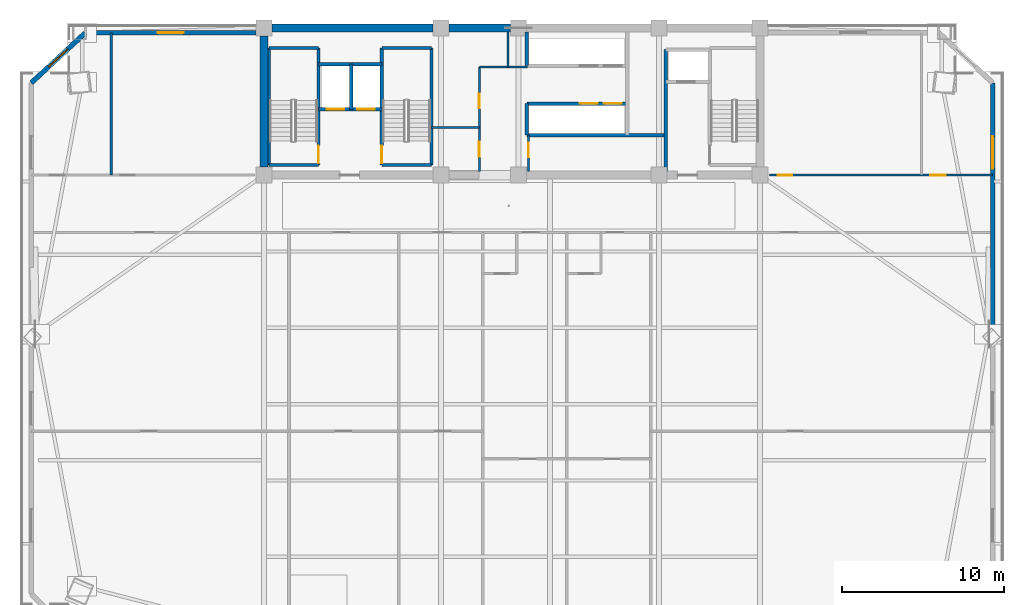
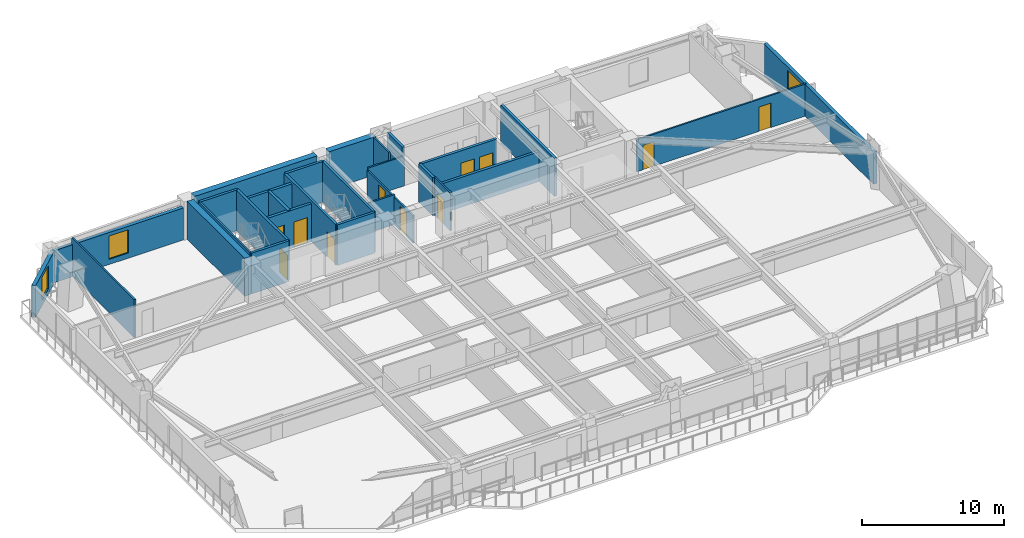
# One storey, part 9 of 15: 29 walls, 11 doors, 3 windows, 14 openings.
"""IFC4 building model written with IfcOpenShell, lengths in metres."""

import ifcopenshell
import ifcopenshell.guid

model = None  # the IFC model being written
_history = None  # IfcOwnerHistory: only IFC2X3 demands one
_inside = {}  # id of a spatial element -> (the spatial element, [elements in it])
_under = {}  # id of a project, library or spatial element -> (it, [spatial elements below it])
_declared = {}  # id of a project -> (the project, [libraries it declares])
_typed = {}  # id of a type object -> (the type object, [elements of that type])
_made_of = {}  # id of a material, layer set ... -> (it, [elements and type objects made of it])


def new_model(schema):
    """Start an empty IFC model of exactly this schema.

    Asked for "IFC4X3", IfcOpenShell would pick the latest addendum, in which some entities
    have other attributes; the version numbers below select the first issue.
    IFC2X3 requires an IfcOwnerHistory on every rooted entity: one is made here for all.
    """
    global model, _history
    if schema == "IFC4X3":
        model = ifcopenshell.file(schema_version=(4, 3, 0, 0))
    else:
        model = ifcopenshell.file(schema=schema)
    _inside.clear()
    _under.clear()
    _declared.clear()
    _typed.clear()
    _made_of.clear()
    _history = None
    if model.schema == "IFC2X3":
        org = make("IfcOrganization", Name="unknown")
        user = make(
            "IfcPersonAndOrganization",
            ThePerson=make("IfcPerson", FamilyName="unknown"),
            TheOrganization=org,
        )
        app = make(
            "IfcApplication",
            ApplicationDeveloper=org,
            Version="unknown",
            ApplicationFullName="unknown",
            ApplicationIdentifier="unknown",
        )
        _history = make(
            "IfcOwnerHistory",
            OwningUser=user,
            OwningApplication=app,
            ChangeAction="ADDED",
            CreationDate=0,
        )
    return model


def make(cls, **values):
    """One entity of the class cls with the attributes given. An attribute that is None is left unset."""
    return model.create_entity(
        cls, **{name: value for name, value in values.items() if value is not None}
    )


def rooted(cls, **values):
    """An entity with a GlobalId (a new one), such as an element, a storey or a relation."""
    return make(cls, GlobalId=ifcopenshell.guid.new(), OwnerHistory=_history, **values)


def si_unit(unit_type, name, prefix=None):
    """IfcSIUnit, for example si_unit("LENGTHUNIT", "METRE", prefix="MILLI")."""
    return make("IfcSIUnit", UnitType=unit_type, Prefix=prefix, Name=name)


def assignment(units):
    """IfcUnitAssignment: the units of a project."""
    return None if units is None else make("IfcUnitAssignment", Units=units)


def point(xyz):
    """IfcCartesianPoint."""
    return None if xyz is None else make("IfcCartesianPoint", Coordinates=xyz)


def direction(xyz):
    """IfcDirection."""
    return None if xyz is None else make("IfcDirection", DirectionRatios=xyz)


def frame(location, z_axis=None, x_axis=None):
    """IfcAxis2Placement3D, a coordinate frame: its origin and axes. An axis left out is left unset."""
    return make(
        "IfcAxis2Placement3D",
        Location=point(location),
        Axis=direction(z_axis),
        RefDirection=direction(x_axis),
    )


def frame_2d(location, x_axis=None):
    """IfcAxis2Placement2D, a coordinate frame in the plane: its origin and x axis."""
    return make(
        "IfcAxis2Placement2D", Location=point(location), RefDirection=direction(x_axis)
    )


def origin():
    """The frame at (0, 0, 0) with its axes left unset."""
    return frame((0.0, 0.0, 0.0))


def place(relative_to, where):
    """IfcLocalPlacement: puts the frame where relative to a parent placement (None: the world)."""
    return make(
        "IfcLocalPlacement", PlacementRelTo=relative_to, RelativePlacement=where
    )


def context(
    kind, dimensions, precision=None, world=None, true_north=None, identifier=None
):
    """IfcGeometricRepresentationContext, for example the 3D "Model" context."""
    return make(
        "IfcGeometricRepresentationContext",
        ContextIdentifier=identifier,
        ContextType=kind,
        CoordinateSpaceDimension=dimensions,
        Precision=precision,
        WorldCoordinateSystem=world,
        TrueNorth=true_north,
    )


def subcontext(parent, identifier, kind, view, scale=None):
    """IfcGeometricRepresentationSubContext, for example "Body" below "Model"."""
    return make(
        "IfcGeometricRepresentationSubContext",
        ContextIdentifier=identifier,
        ContextType=kind,
        ParentContext=parent,
        TargetScale=scale,
        TargetView=view,
    )


def project(units=None, contexts=None):
    """IfcProject with its units and contexts."""
    return rooted(
        "IfcProject",
        Name="project",
        RepresentationContexts=contexts,
        UnitsInContext=assignment(units),
    )


def spatial(cls, under=None, at=None, **own):
    """A site, building, storey or space (cls), placed at a placement, below another one or the project."""
    s = rooted(cls, ObjectPlacement=at, **own)
    if under is not None:
        _under.setdefault(under.id(), (under, []))[1].append(s)
    return s


def profile(cls, at=None, kind="AREA", **sizes):
    """A parametric profile (cls). Its sizes go by their IFC names, for example OverallWidth=200.0."""
    return make(cls, ProfileType=kind, Position=at, **sizes)


def rectangle(**sizes):
    """IfcRectangleProfileDef."""
    return profile("IfcRectangleProfileDef", **sizes)


def extrude(swept, where, along, depth):
    """IfcExtrudedAreaSolid: the profile swept, set in the frame where, extruded along a direction by depth."""
    return make(
        "IfcExtrudedAreaSolid",
        SweptArea=swept,
        Position=where,
        ExtrudedDirection=direction(along),
        Depth=depth,
    )


def shape(context_of_items, identifier, shape_type, items):
    """IfcShapeRepresentation: the items that make up one representation, for example the "Body"."""
    return make(
        "IfcShapeRepresentation",
        ContextOfItems=context_of_items,
        RepresentationIdentifier=identifier,
        RepresentationType=shape_type,
        Items=items,
    )


def source(mapping_origin, context_of_items, identifier, shape_type, items):
    """IfcRepresentationMap: a shape defined once, which mapped items show again and again."""
    return make(
        "IfcRepresentationMap",
        MappingOrigin=mapping_origin,
        MappedRepresentation=shape(context_of_items, identifier, shape_type, items),
    )


def transform(
    local_origin,
    x_axis=None,
    y_axis=None,
    z_axis=None,
    scale=None,
    scale2=None,
    scale3=None,
    uniform=True,
):
    """IfcCartesianTransformationOperator3D, or its non-uniform kind. x_axis, y_axis, z_axis: its Axis1, 2, 3."""
    if uniform:
        return make(
            "IfcCartesianTransformationOperator3D",
            Axis1=direction(x_axis),
            Axis2=direction(y_axis),
            LocalOrigin=point(local_origin),
            Scale=scale,
            Axis3=direction(z_axis),
        )
    return make(
        "IfcCartesianTransformationOperator3DnonUniform",
        Axis1=direction(x_axis),
        Axis2=direction(y_axis),
        LocalOrigin=point(local_origin),
        Scale=scale,
        Axis3=direction(z_axis),
        Scale2=scale2,
        Scale3=scale3,
    )


def mapped(mapping_source, mapping_target):
    """IfcMappedItem: shows the shape of a source again, moved by a transform."""
    return make(
        "IfcMappedItem", MappingSource=mapping_source, MappingTarget=mapping_target
    )


def material(Name=None, Category=None):
    """IfcMaterial."""
    return make("IfcMaterial", Name=Name, Category=Category)


def layer(
    of_material, thickness, ventilated=None, Name=None, Category=None, Priority=None
):
    """IfcMaterialLayer: one layer of a wall or slab, of a material (None: an air gap)."""
    return make(
        "IfcMaterialLayer",
        Material=of_material,
        LayerThickness=thickness,
        IsVentilated=ventilated,
        Name=Name,
        Category=Category,
        Priority=Priority,
    )


def layer_set(layers, Name=None):
    """IfcMaterialLayerSet."""
    return make("IfcMaterialLayerSet", MaterialLayers=layers, LayerSetName=Name)


def made_of(thing, what):
    """Note that an element or type object is made of a material, layer set ...; save() writes the relation."""
    if what is not None:
        _made_of.setdefault(what.id(), (what, []))[1].append(thing)
    return thing


def type_object(cls, material=None, **own):
    """A type object (cls), such as IfcWallType, which elements share."""
    return made_of(rooted(cls, **own), material)


def element(
    cls,
    number,
    at=None,
    inside=None,
    cuts=None,
    type_object=None,
    material=None,
    context=None,
    identifier="Body",
    shape_type=None,
    held_by="IfcProductDefinitionShape",
    body=None,
    shapes=None,
    **own,
):
    """One element of the class cls, such as IfcWall. Its Tag is "e" and its number.

    at: its placement. inside: the storey or other place that contains it. cuts: it is an
    opening in that element (IfcRelVoidsElement). A single representation is given by context,
    identifier, shape_type and body (its items); several are given by shapes. held_by: the class
    of the entity that holds the representations. save() writes the other relations.
    """
    e = rooted(cls, Tag="e%d" % number, ObjectPlacement=at, **own)
    if body is not None:
        shapes = [shape(context, identifier, shape_type, body)]
    if shapes is not None:
        e.Representation = make(held_by, Representations=shapes)
    if inside is not None:
        _inside.setdefault(inside.id(), (inside, []))[1].append(e)
    if cuts is not None:
        rooted(
            "IfcRelVoidsElement", RelatingBuildingElement=cuts, RelatedOpeningElement=e
        )
    if type_object is not None:
        _typed.setdefault(type_object.id(), (type_object, []))[1].append(e)
    return made_of(e, material)


def fill(opening, filler):
    """IfcRelFillsElement: the door or window that sits in an opening."""
    return rooted(
        "IfcRelFillsElement",
        RelatingOpeningElement=opening,
        RelatedBuildingElement=filler,
    )


def aggregate(whole, parts):
    """IfcRelAggregates: a whole, such as a stair, and the parts it consists of."""
    return rooted("IfcRelAggregates", RelatingObject=whole, RelatedObjects=parts)


def save(model, path):
    """Write the relations noted so far, then the file.

    IfcRelAggregates (storeys below a building ...), IfcRelContainedInSpatialStructure (elements
    in a storey), IfcRelDefinesByType, IfcRelAssociatesMaterial and IfcRelDeclares: one each for
    every whole, place, type object, material and project.
    """
    for whole, parts in _under.values():
        aggregate(whole, parts)
    for where, things in _inside.values():
        rooted(
            "IfcRelContainedInSpatialStructure",
            RelatedElements=things,
            RelatingStructure=where,
        )
    for kind, things in _typed.values():
        rooted("IfcRelDefinesByType", RelatedObjects=things, RelatingType=kind)
    for what, things in _made_of.values():
        rooted("IfcRelAssociatesMaterial", RelatedObjects=things, RelatingMaterial=what)
    for by, libraries in _declared.values():
        rooted("IfcRelDeclares", RelatingContext=by, RelatedDefinitions=libraries)
    model.write(path)


model = new_model("IFC4")

# Units and contexts
model_context = context("Model", 3, precision=1e-05, world=origin(), true_north=direction((0.0, 1.0)))
body_context = subcontext(model_context, "Body", "Model", "MODEL_VIEW")
ifc_project = project(units=[si_unit("LENGTHUNIT", "METRE"), si_unit("AREAUNIT", "SQUARE_METRE"), si_unit("VOLUMEUNIT", "CUBIC_METRE"), si_unit("PLANEANGLEUNIT", "RADIAN"), si_unit("MASSUNIT", "GRAM", prefix="KILO")], contexts=[model_context])

# Site, building, storey
site_placement = place(None, origin())
site = spatial("IfcSite", under=ifc_project, at=site_placement, CompositionType="ELEMENT")
building_placement = place(site_placement, origin())
building = spatial("IfcBuilding", under=site, at=building_placement, Name="Giltprow Tower", CompositionType="ELEMENT")
storey_placement = place(building_placement, frame((0.0, 0.0, 156.199951171875)))
storey = spatial("IfcBuildingStorey", under=building, at=storey_placement, Name="L38", CompositionType="ELEMENT", Elevation=156.199951171875)

# Wall, opening, window
ifc_material_1 = material(Name="Precast concrete C40", Category="concrete")
ifc_layer_1 = layer(ifc_material_1, 0.300048828125, Name="Precast concrete C40")
ifc_layer_set_1 = layer_set([ifc_layer_1], Name="Precast concrete C40")
wall_type_1 = type_object("IfcWallType", Name="EW-NOTCH-CHAMFER-300", PredefinedType="SOLIDWALL", material=ifc_layer_set_1)
wall_1_placement = place(storey_placement, frame((8.7880859375, 46.25, 0.0), z_axis=(0.0, 0.0, 1.0), x_axis=(-0.734051949579, -0.679093318565, 0.0)))
wall_1 = element("IfcWall", 1, at=wall_1_placement, inside=storey, type_object=wall_type_1, Name="L38 Corner Notch Wall NW", PredefinedType="SOLIDWALL", context=body_context, shape_type="SweptSolid", body=[
    extrude(rectangle(XDim=4.548828125, YDim=0.300048828125, at=frame_2d((2.2744140625, 0.0))), origin(), (0.0, 0.0, 1.0), 2.75),
])
opening_1_placement = place(wall_1_placement, frame((1.47412109375, 0.0, 0.449951171875)))
opening_1 = element("IfcOpeningElement", 2, at=opening_1_placement, cuts=wall_1, Name="Opening WN17", PredefinedType="OPENING", context=body_context, shape_type="SweptSolid", body=[
    extrude(rectangle(XDim=1.60009765625, YDim=2.0, at=frame_2d((0.800048828125, 1.0))), frame((0.0, 0.159912109375, 0.0), z_axis=(0.0, -1.0, 0.0), x_axis=(1.0, 0.0, 0.0)), (0.0, 0.0, 1.0), 0.320068359375),
])
ifc_material_2 = material(Name="Insulated glass", Category="glass")
window_type_1 = type_object("IfcWindowType", Name="WN-COR-1600x2000", PartitioningType="SINGLE_PANEL", PredefinedType="WINDOW", material=ifc_material_2)
shared_shape_1 = source(origin(), body_context, "Body", "SweptSolid", [
    extrude(rectangle(XDim=1.60009765625, YDim=2.0, at=frame_2d((0.800048828125, 1.0))), frame((0.0, 0.030029296875, 0.0), z_axis=(0.0, -1.0, 0.0), x_axis=(1.0, 0.0, 0.0)), (0.0, 0.0, 1.0), 0.06005859375),
])
window_1_placement = place(opening_1_placement, origin())
window_1 = element("IfcWindow", 3, at=window_1_placement, inside=storey, type_object=window_type_1, Name="L38 Corner Notch Window NW", OverallHeight=2.0, OverallWidth=1.60009765625, PartitioningType="SINGLE_PANEL", PredefinedType="WINDOW", context=body_context, shape_type="MappedRepresentation", body=[
    mapped(shared_shape_1, transform((0.0, 0.0, 0.0), x_axis=(1.0, 0.0, 0.0), y_axis=(0.0, 1.0, 0.0), z_axis=(0.0, 0.0, 1.0), scale=1.0)),
])
fill(opening_1, window_1)

ifc_layer_2 = layer(ifc_material_1, 0.280029296875, Name="Precast concrete C40")
ifc_layer_set_2 = layer_set([ifc_layer_2], Name="Precast concrete C40")
wall_type_2 = type_object("IfcWallType", Name="EW-TOW-BRONZE-280", PredefinedType="SOLIDWALL", material=ifc_layer_set_2)
wall_2_placement = place(storey_placement, frame((64.950927734375, 27.736083984375, 0.0), z_axis=(0.0, 0.0, 1.0), x_axis=(0.0, 1.0, 0.0)))
wall_2 = element("IfcWall", 4, at=wall_2_placement, inside=storey, type_object=wall_type_2, Name="L38 E Wing Masonry Wall 2", PredefinedType="SOLIDWALL", context=body_context, shape_type="SweptSolid", body=[
    extrude(rectangle(XDim=15.4248046875, YDim=0.280029296875, at=frame_2d((7.71240234375, 0.0))), origin(), (0.0, 0.0, 1.0), 2.75),
])
opening_2_placement = place(wall_2_placement, frame((10.118896484375, 0.0, 0.449951171875)))
opening_2 = element("IfcOpeningElement", 5, at=opening_2_placement, cuts=wall_2, Name="Opening WN21", PredefinedType="OPENING", context=body_context, shape_type="SweptSolid", body=[
    extrude(rectangle(XDim=2.0, YDim=2.0, at=frame_2d((1.0, 1.0))), frame((0.0, 0.14990234375, 0.0), z_axis=(0.0, -1.0, 0.0), x_axis=(1.0, 0.0, 0.0)), (0.0, 0.0, 1.0), 0.300048828125),
])
window_type_2 = type_object("IfcWindowType", Name="WN-HTL-2000x2000", PartitioningType="DOUBLE_PANEL_VERTICAL", PredefinedType="WINDOW", material=ifc_material_2)
shared_shape_2 = source(origin(), body_context, "Body", "SweptSolid", [
    extrude(rectangle(XDim=2.0, YDim=2.0, at=frame_2d((1.0, 1.0))), frame((0.0, 0.030029296875, 0.0), z_axis=(0.0, -1.0, 0.0), x_axis=(1.0, 0.0, 0.0)), (0.0, 0.0, 1.0), 0.06005859375),
])
window_2_placement = place(opening_2_placement, origin())
window_2 = element("IfcWindow", 6, at=window_2_placement, inside=storey, type_object=window_type_2, Name="L38 E Wing Window 2-1", OverallHeight=2.0, OverallWidth=2.0, PartitioningType="SINGLE_PANEL", PredefinedType="WINDOW", context=body_context, shape_type="MappedRepresentation", body=[
    mapped(shared_shape_2, transform((0.0, 0.0, 0.0), x_axis=(1.0, 0.0, 0.0), y_axis=(0.0, 1.0, 0.0), z_axis=(0.0, 0.0, 1.0), scale=1.0)),
])
fill(opening_2, window_2)

wall_3_placement = place(storey_placement, frame((8.7880859375, 46.25, 0.0), z_axis=(0.0, 0.0, 1.0), x_axis=(1.0, 0.0, 0.0)))
wall_3 = element("IfcWall", 7, at=wall_3_placement, inside=storey, type_object=wall_type_2, Name="L38 North-West Wing Wall", PredefinedType="SOLIDWALL", context=body_context, shape_type="SweptSolid", body=[
    extrude(rectangle(XDim=10.56201171875, YDim=0.280029296875, at=frame_2d((5.281005859375, 0.0))), origin(), (0.0, 0.0, 1.0), 2.75),
])
opening_3_placement = place(wall_3_placement, frame((4.48095703125, 0.0, 0.449951171875)))
opening_3 = element("IfcOpeningElement", 8, at=opening_3_placement, cuts=wall_3, Name="Opening WN17", PredefinedType="OPENING", context=body_context, shape_type="SweptSolid", body=[
    extrude(rectangle(XDim=1.60009765625, YDim=2.0, at=frame_2d((0.800048828125, 1.0))), frame((0.0, 0.14990234375, 0.0), z_axis=(0.0, -1.0, 0.0), x_axis=(1.0, 0.0, 0.0)), (0.0, 0.0, 1.0), 0.300048828125),
])
window_3_placement = place(opening_3_placement, origin())
window_3 = element("IfcWindow", 9, at=window_3_placement, inside=storey, type_object=window_type_1, Name="L38 North-West Window", OverallHeight=2.0, OverallWidth=1.60009765625, PartitioningType="SINGLE_PANEL", PredefinedType="WINDOW", context=body_context, shape_type="MappedRepresentation", body=[
    mapped(shared_shape_1, transform((0.0, 0.0, 0.0), x_axis=(1.0, 0.0, 0.0), y_axis=(0.0, 1.0, 0.0), z_axis=(0.0, 0.0, 1.0), scale=1.0)),
])
fill(opening_3, window_3)

# Wall, openings, doors
ifc_material_3 = material(Name="Concrete C40", Category="concrete")
ifc_layer_3 = layer(ifc_material_3, 0.219970703125, Name="Concrete C40")
ifc_layer_set_3 = layer_set([ifc_layer_3], Name="Concrete C40")
wall_type_3 = type_object("IfcWallType", Name="IW-SHAFT-220", PredefinedType="SOLIDWALL", material=ifc_layer_set_3)
wall_4_placement = place(storey_placement, frame((23.219970703125, 41.52001953125, 0.0), z_axis=(0.0, 0.0, 1.0), x_axis=(1.0, 0.0, 0.0)))
wall_4 = element("IfcWall", 10, at=wall_4_placement, inside=storey, type_object=wall_type_3, Name="L38 FFL1 and Service Lift Front Wall", PredefinedType="SOLIDWALL", context=body_context, shape_type="SweptSolid", body=[
    extrude(rectangle(XDim=3.919921875, YDim=0.219970703125, at=frame_2d((1.9599609375, 0.0))), origin(), (0.0, 0.0, 1.0), 3.27001953125),
])
opening_4_placement = place(wall_4_placement, frame((0.5, 0.0, 0.0)))
opening_4 = element("IfcOpeningElement", 11, at=opening_4_placement, cuts=wall_4, Name="Opening LD-11", PredefinedType="OPENING", context=body_context, shape_type="SweptSolid", body=[
    extrude(rectangle(XDim=1.10009765625, YDim=2.199951171875, at=frame_2d((0.550048828125, 1.10009765625))), frame((0.0, 0.119873046875, 0.0), z_axis=(0.0, -1.0, 0.0), x_axis=(1.0, 0.0, 0.0)), (0.0, 0.0, 1.0), 0.239990234375),
])
opening_5_placement = place(wall_4_placement, frame((2.39990234375, 0.0, 0.0)))
opening_5 = element("IfcOpeningElement", 12, at=opening_5_placement, cuts=wall_4, Name="Opening LD-11", PredefinedType="OPENING", context=body_context, shape_type="SweptSolid", body=[
    extrude(rectangle(XDim=1.10009765625, YDim=2.199951171875, at=frame_2d((0.550048828125, 1.10009765625))), frame((0.0, 0.119873046875, 0.0), z_axis=(0.0, -1.0, 0.0), x_axis=(1.0, 0.0, 0.0)), (0.0, 0.0, 1.0), 0.239990234375),
])
ifc_material_4 = material(Name="Stainless steel", Category="steel")
door_type_1 = type_object("IfcDoorType", Name="DR-LIFT-LD1100", OperationType="SLIDING_TO_LEFT", PredefinedType="DOOR", material=ifc_material_4)
shared_shape_3 = source(origin(), body_context, "Body", "SweptSolid", [
    extrude(rectangle(XDim=1.10009765625, YDim=2.199951171875, at=frame_2d((0.550048828125, 1.10009765625))), frame((0.0, 0.02490234375, 0.0), z_axis=(0.0, -1.0, 0.0), x_axis=(1.0, 0.0, 0.0)), (0.0, 0.0, 1.0), 0.050048828125),
])
door_1_placement = place(opening_4_placement, origin())
door_1 = element("IfcDoor", 13, at=door_1_placement, inside=storey, type_object=door_type_1, Name="L38 FFL1 Landing Door", OperationType="SLIDING_TO_LEFT", OverallHeight=2.199951171875, OverallWidth=1.10009765625, PredefinedType="DOOR", context=body_context, shape_type="MappedRepresentation", body=[
    mapped(shared_shape_3, transform((0.0, 0.0, 0.0), x_axis=(1.0, 0.0, 0.0), y_axis=(0.0, 1.0, 0.0), z_axis=(0.0, 0.0, 1.0), scale=1.0)),
])
fill(opening_4, door_1)
door_2_placement = place(opening_5_placement, origin())
door_2 = element("IfcDoor", 14, at=door_2_placement, inside=storey, type_object=door_type_1, Name="L38 SVL1 Landing Door", OperationType="SLIDING_TO_LEFT", OverallHeight=2.199951171875, OverallWidth=1.10009765625, PredefinedType="DOOR", context=body_context, shape_type="MappedRepresentation", body=[
    mapped(shared_shape_3, transform((0.0, 0.0, 0.0), x_axis=(1.0, 0.0, 0.0), y_axis=(0.0, 1.0, 0.0), z_axis=(0.0, 0.0, 1.0), scale=1.0)),
])
fill(opening_5, door_2)

# Walls
wall_5_placement = place(storey_placement, frame((25.260009765625, 41.52001953125, 0.0), z_axis=(0.0, 0.0, 1.0), x_axis=(0.0, 1.0, 0.0)))
element("IfcWall", 15, at=wall_5_placement, inside=storey, type_object=wall_type_3, Name="L38 FFL1-SVL1 Shaft Divider", PredefinedType="SOLIDWALL", context=body_context, shape_type="SweptSolid", body=[
    extrude(rectangle(XDim=2.800048828125, YDim=0.219970703125, at=frame_2d((1.39990234375, 0.0))), origin(), (0.0, 0.0, 1.0), 3.27001953125),
])
wall_6_placement = place(storey_placement, frame((23.219970703125, 44.320068359375, 0.0), z_axis=(0.0, 0.0, 1.0), x_axis=(1.0, 0.0, 0.0)))
element("IfcWall", 16, at=wall_6_placement, inside=storey, type_object=wall_type_3, Name="L38 FFL1-SVL1 Back Shaft Wall", PredefinedType="SOLIDWALL", context=body_context, shape_type="SweptSolid", body=[
    extrude(rectangle(XDim=3.919921875, YDim=0.219970703125, at=frame_2d((1.9599609375, 0.0))), origin(), (0.0, 0.0, 1.0), 3.27001953125),
])
wall_7_placement = place(storey_placement, frame((44.719970703125, 37.679931640625, 0.0), z_axis=(0.0, 0.0, 1.0), x_axis=(0.0, 1.0, 0.0)))
element("IfcWall", 17, at=wall_7_placement, inside=storey, type_object=wall_type_3, Name="L38 East Firefighting Lobby West Wall", PredefinedType="SOLIDWALL", context=body_context, shape_type="SweptSolid", body=[
    extrude(rectangle(XDim=7.5400390625, YDim=0.219970703125, at=frame_2d((3.77001953125, 0.0))), origin(), (0.0, 0.0, 1.0), 3.27001953125),
])

# Wall, openings, doors
wall_8_placement = place(storey_placement, frame((36.1201171875, 41.8798828125, 0.0), z_axis=(0.0, 0.0, 1.0), x_axis=(1.0, 0.0, 0.0)))
wall_8 = element("IfcWall", 18, at=wall_8_placement, inside=storey, type_object=wall_type_3, Name="L38 Mid-Rise Lift Shaft Front Wall S", PredefinedType="SOLIDWALL", context=body_context, shape_type="SweptSolid", body=[
    extrude(rectangle(XDim=6.199951171875, YDim=0.219970703125, at=frame_2d((3.10009765625, 0.0))), origin(), (0.0, 0.0, 1.0), 3.27001953125),
])
opening_6_placement = place(wall_8_placement, frame((3.280029296875, 0.0, 0.0)))
opening_6 = element("IfcOpeningElement", 19, at=opening_6_placement, cuts=wall_8, Name="Opening LD-11", PredefinedType="OPENING", context=body_context, shape_type="SweptSolid", body=[
    extrude(rectangle(XDim=1.10009765625, YDim=2.199951171875, at=frame_2d((0.550048828125, 1.10009765625))), frame((0.0, 0.119873046875, 0.0), z_axis=(0.0, -1.0, 0.0), x_axis=(1.0, 0.0, 0.0)), (0.0, 0.0, 1.0), 0.239990234375),
])
opening_7_placement = place(wall_8_placement, frame((4.77001953125, 0.0, 0.0)))
opening_7 = element("IfcOpeningElement", 20, at=opening_7_placement, cuts=wall_8, Name="Opening LD-11", PredefinedType="OPENING", context=body_context, shape_type="SweptSolid", body=[
    extrude(rectangle(XDim=1.10009765625, YDim=2.199951171875, at=frame_2d((0.550048828125, 1.10009765625))), frame((0.0, 0.119873046875, 0.0), z_axis=(0.0, -1.0, 0.0), x_axis=(1.0, 0.0, 0.0)), (0.0, 0.0, 1.0), 0.239990234375),
])
door_3_placement = place(opening_6_placement, origin())
door_3 = element("IfcDoor", 21, at=door_3_placement, inside=storey, type_object=door_type_1, Name="L38 PL-M3 Landing Door", OperationType="SLIDING_TO_LEFT", OverallHeight=2.199951171875, OverallWidth=1.10009765625, PredefinedType="DOOR", context=body_context, shape_type="MappedRepresentation", body=[
    mapped(shared_shape_3, transform((0.0, 0.0, 0.0), x_axis=(1.0, 0.0, 0.0), y_axis=(0.0, 1.0, 0.0), z_axis=(0.0, 0.0, 1.0), scale=1.0)),
])
fill(opening_6, door_3)
door_4_placement = place(opening_7_placement, origin())
door_4 = element("IfcDoor", 22, at=door_4_placement, inside=storey, type_object=door_type_1, Name="L38 PL-M4 Landing Door", OperationType="SLIDING_TO_LEFT", OverallHeight=2.199951171875, OverallWidth=1.10009765625, PredefinedType="DOOR", context=body_context, shape_type="MappedRepresentation", body=[
    mapped(shared_shape_3, transform((0.0, 0.0, 0.0), x_axis=(1.0, 0.0, 0.0), y_axis=(0.0, 1.0, 0.0), z_axis=(0.0, 0.0, 1.0), scale=1.0)),
])
fill(opening_7, door_4)

# Walls
wall_9_placement = place(storey_placement, frame((36.1201171875, 39.919921875, 0.0), z_axis=(0.0, 0.0, 1.0), x_axis=(1.0, 0.0, 0.0)))
element("IfcWall", 23, at=wall_9_placement, inside=storey, type_object=wall_type_3, Name="L38 Mid-Rise South Lift Back Wall", PredefinedType="SOLIDWALL", context=body_context, shape_type="SweptSolid", body=[
    extrude(rectangle(XDim=8.599853515625, YDim=0.219970703125, at=frame_2d((4.2998046875, 0.0))), origin(), (0.0, 0.0, 1.0), 2.554931640625),
])
wall_10_placement = place(storey_placement, frame((36.1201171875, 39.919921875, 0.0), z_axis=(0.0, 0.0, 1.0), x_axis=(0.0, 1.0, 0.0)))
element("IfcWall", 24, at=wall_10_placement, inside=storey, type_object=wall_type_3, Name="L38 Mid-Rise South Lift West Closure", PredefinedType="SOLIDWALL", context=body_context, shape_type="SweptSolid", body=[
    extrude(rectangle(XDim=1.9599609375, YDim=0.219970703125, at=frame_2d((0.97998046875, 0.0))), origin(), (0.0, 0.0, 1.0), 3.27001953125),
])
wall_11_placement = place(storey_placement, frame((36.1201171875, 44.219970703125, 0.0), z_axis=(0.0, 0.0, 1.0), x_axis=(0.0, 1.0, 0.0)))
element("IfcWall", 25, at=wall_11_placement, inside=storey, type_object=wall_type_3, Name="L38 Mid-Rise North Lift West Closure", PredefinedType="SOLIDWALL", context=body_context, shape_type="SweptSolid", body=[
    extrude(rectangle(XDim=2.10009765625, YDim=0.219970703125, at=frame_2d((1.050048828125, 0.0))), origin(), (0.0, 0.0, 1.0), 3.27001953125),
])
ifc_material_5 = material(Name="Concrete C45", Category="concrete")
ifc_layer_4 = layer(ifc_material_5, 0.139892578125, Name="Concrete C45")
ifc_layer_set_4 = layer_set([ifc_layer_4], Name="Concrete C45")
wall_type_4 = type_object("IfcWallType", Name="IW-STAIR-140", PredefinedType="SOLIDWALL", material=ifc_layer_set_4)
wall_12_placement = place(storey_placement, frame((20.169921875, 38.070068359375, 0.0), z_axis=(0.0, 0.0, 1.0), x_axis=(0.0, 1.0, 0.0)))
element("IfcWall", 26, at=wall_12_placement, inside=storey, type_object=wall_type_4, Name="L38 Stair ST-1 West Bearing Wall", PredefinedType="SOLIDWALL", context=body_context, shape_type="SweptSolid", body=[
    extrude(rectangle(XDim=7.25, YDim=0.139892578125, at=frame_2d((3.625, 0.0))), origin(), (0.0, 0.0, 1.0), 3.5),
])

# Wall, opening, door
ifc_layer_5 = layer(ifc_material_3, 0.199951171875, Name="Concrete C40")
ifc_layer_set_5 = layer_set([ifc_layer_5], Name="Concrete C40")
wall_type_5 = type_object("IfcWallType", Name="IW-STAIR-200", PredefinedType="SOLIDWALL", material=ifc_layer_set_5)
wall_13_placement = place(storey_placement, frame((23.219970703125, 38.070068359375, 0.0), z_axis=(0.0, 0.0, 1.0), x_axis=(0.0, 1.0, 0.0)))
wall_13 = element("IfcWall", 27, at=wall_13_placement, inside=storey, type_object=wall_type_5, Name="L38 Stair ST-1 East Bearing Wall", PredefinedType="SOLIDWALL", context=body_context, shape_type="SweptSolid", body=[
    extrude(rectangle(XDim=7.25, YDim=0.199951171875, at=frame_2d((3.625, 0.0))), origin(), (0.0, 0.0, 1.0), 3.5),
])
opening_8_placement = place(wall_13_placement, frame((0.110107421875, 0.0, 0.0)))
opening_8 = element("IfcOpeningElement", 28, at=opening_8_placement, cuts=wall_13, Name="Opening ID33", PredefinedType="OPENING", context=body_context, shape_type="SweptSolid", body=[
    extrude(rectangle(XDim=1.10009765625, YDim=2.14990234375, at=frame_2d((0.550048828125, 1.074951171875))), frame((0.0, 0.10986328125, 0.0), z_axis=(0.0, -1.0, 0.0), x_axis=(1.0, 0.0, 0.0)), (0.0, 0.0, 1.0), 0.219970703125),
])
ifc_material_6 = material(Name="Steel fire leaf", Category="steel")
door_type_2 = type_object("IfcDoorType", Name="DR-STAIR-1100", OperationType="SINGLE_SWING_LEFT", PredefinedType="DOOR", material=ifc_material_6)
shared_shape_4 = source(origin(), body_context, "Body", "SweptSolid", [
    extrude(rectangle(XDim=1.10009765625, YDim=2.14990234375, at=frame_2d((0.550048828125, 1.074951171875))), frame((0.0, 0.02490234375, 0.0), z_axis=(0.0, -1.0, 0.0), x_axis=(1.0, 0.0, 0.0)), (0.0, 0.0, 1.0), 0.050048828125),
])
door_5_placement = place(opening_8_placement, origin())
door_5 = element("IfcDoor", 29, at=door_5_placement, inside=storey, type_object=door_type_2, Name="L38 Stair ST-1 Fire Door", OperationType="SINGLE_SWING_RIGHT", OverallHeight=2.14990234375, OverallWidth=1.10009765625, PredefinedType="DOOR", context=body_context, shape_type="MappedRepresentation", body=[
    mapped(shared_shape_4, transform((0.0, 0.0, 0.0), x_axis=(1.0, 0.0, 0.0), y_axis=(0.0, 1.0, 0.0), z_axis=(0.0, 0.0, 1.0), scale=1.0)),
])
fill(opening_8, door_5)

# Walls
for number, where, z_axis, x_axis, name in (
    (30, (20.169921875, 45.320068359375, 0.0), (0.0, 0.0, 1.0), (1.0, 0.0, 0.0), "L38 Stair ST-1 North Bearing Wall"),
    (31, (20.169921875, 38.070068359375, 0.0), (0.0, 0.0, 1.0), (1.0, 0.0, 0.0), "L38 Stair ST-1 South Bearing Wall"),
):
    element("IfcWall", number, at=place(storey_placement, frame(where, z_axis=z_axis, x_axis=x_axis)), inside=storey, type_object=wall_type_5, Name=name, PredefinedType="SOLIDWALL", context=body_context, shape_type="SweptSolid", body=[
        extrude(rectangle(XDim=3.050048828125, YDim=0.199951171875, at=frame_2d((1.52490234375, 0.0))), origin(), (0.0, 0.0, 1.0), 3.5),
    ])

# Wall, opening, door
wall_14_placement = place(storey_placement, frame((27.139892578125, 38.070068359375, 0.0), z_axis=(0.0, 0.0, 1.0), x_axis=(0.0, 1.0, 0.0)))
wall_14 = element("IfcWall", 32, at=wall_14_placement, inside=storey, type_object=wall_type_5, Name="L38 Stair ST-2 West Bearing Wall", PredefinedType="SOLIDWALL", context=body_context, shape_type="SweptSolid", body=[
    extrude(rectangle(XDim=7.25, YDim=0.199951171875, at=frame_2d((3.625, 0.0))), origin(), (0.0, 0.0, 1.0), 3.5),
])
opening_9_placement = place(wall_14_placement, frame((0.110107421875, 0.0, 0.0)))
opening_9 = element("IfcOpeningElement", 33, at=opening_9_placement, cuts=wall_14, Name="Opening ID33", PredefinedType="OPENING", context=body_context, shape_type="SweptSolid", body=[
    extrude(rectangle(XDim=1.10009765625, YDim=2.14990234375, at=frame_2d((0.550048828125, 1.074951171875))), frame((0.0, 0.10986328125, 0.0), z_axis=(0.0, -1.0, 0.0), x_axis=(1.0, 0.0, 0.0)), (0.0, 0.0, 1.0), 0.219970703125),
])
door_6_placement = place(opening_9_placement, origin())
door_6 = element("IfcDoor", 34, at=door_6_placement, inside=storey, type_object=door_type_2, Name="L38 Stair ST-2 Fire Door", OperationType="SINGLE_SWING_LEFT", OverallHeight=2.14990234375, OverallWidth=1.10009765625, PredefinedType="DOOR", context=body_context, shape_type="MappedRepresentation", body=[
    mapped(shared_shape_4, transform((0.0, 0.0, 0.0), x_axis=(1.0, 0.0, 0.0), y_axis=(0.0, 1.0, 0.0), z_axis=(0.0, 0.0, 1.0), scale=1.0)),
])
fill(opening_9, door_6)

# Walls
wall_15_placement = place(storey_placement, frame((30.219970703125, 38.070068359375, 0.0), z_axis=(0.0, 0.0, 1.0), x_axis=(0.0, 1.0, 0.0)))
element("IfcWall", 35, at=wall_15_placement, inside=storey, type_object=wall_type_5, Name="L38 Stair ST-2 East Bearing Wall", PredefinedType="SOLIDWALL", context=body_context, shape_type="SweptSolid", body=[
    extrude(rectangle(XDim=7.25, YDim=0.199951171875, at=frame_2d((3.625, 0.0))), origin(), (0.0, 0.0, 1.0), 3.5),
])
for number, where, z_axis, x_axis, name in (
    (36, (27.139892578125, 45.320068359375, 0.0), (0.0, 0.0, 1.0), (1.0, 0.0, 0.0), "L38 Stair ST-2 North Bearing Wall"),
    (37, (27.139892578125, 38.070068359375, 0.0), (0.0, 0.0, 1.0), (1.0, 0.0, 0.0), "L38 Stair ST-2 South Bearing Wall"),
):
    element("IfcWall", number, at=place(storey_placement, frame(where, z_axis=z_axis, x_axis=x_axis)), inside=storey, type_object=wall_type_5, Name=name, PredefinedType="SOLIDWALL", context=body_context, shape_type="SweptSolid", body=[
        extrude(rectangle(XDim=3.080078125, YDim=0.199951171875, at=frame_2d((1.5400390625, 0.0))), origin(), (0.0, 0.0, 1.0), 3.5),
    ])

# Wall, openings, doors
ifc_material_7 = material(Name="Concrete C30", Category="concrete")
ifc_layer_6 = layer(ifc_material_7, 0.1298828125, Name="Concrete C30")
ifc_layer_set_6 = layer_set([ifc_layer_6], Name="Concrete C30")
wall_type_6 = type_object("IfcWallType", Name="IW-WET-130", PredefinedType="PARTITIONING", material=ifc_layer_set_6)
wall_16_placement = place(storey_placement, frame((33.179931640625, 37.679931640625, 0.0), z_axis=(0.0, 0.0, 1.0), x_axis=(0.0, 1.0, 0.0)))
wall_16 = element("IfcWall", 38, at=wall_16_placement, inside=storey, type_object=wall_type_6, Name="L38 Reclaimed Core Room East Wall", PredefinedType="PARTITIONING", context=body_context, shape_type="SweptSolid", body=[
    extrude(rectangle(XDim=6.469970703125, YDim=0.1298828125, at=frame_2d((3.23486328125, 0.0))), origin(), (0.0, 0.0, 1.0), 2.35498046875),
])
opening_10_placement = place(wall_16_placement, frame((0.919921875, 0.0, 0.0)))
opening_10 = element("IfcOpeningElement", 39, at=opening_10_placement, cuts=wall_16, Name="Opening ID35", PredefinedType="OPENING", context=body_context, shape_type="SweptSolid", body=[
    extrude(rectangle(XDim=0.89990234375, YDim=2.10009765625, at=frame_2d((0.449951171875, 1.050048828125))), frame((0.0, 0.074951171875, 0.0), z_axis=(0.0, -1.0, 0.0), x_axis=(1.0, 0.0, 0.0)), (0.0, 0.0, 1.0), 0.14990234375),
])
opening_11_placement = place(wall_16_placement, frame((3.919921875, 0.0, 0.0)))
opening_11 = element("IfcOpeningElement", 40, at=opening_11_placement, cuts=wall_16, Name="Opening ID35", PredefinedType="OPENING", context=body_context, shape_type="SweptSolid", body=[
    extrude(rectangle(XDim=0.89990234375, YDim=2.10009765625, at=frame_2d((0.449951171875, 1.050048828125))), frame((0.0, 0.074951171875, 0.0), z_axis=(0.0, -1.0, 0.0), x_axis=(1.0, 0.0, 0.0)), (0.0, 0.0, 1.0), 0.14990234375),
])
door_type_3 = type_object("IfcDoorType", Name="DR-SHAFT-900", OperationType="SINGLE_SWING_LEFT", PredefinedType="DOOR", material=ifc_material_6)
shared_shape_5 = source(origin(), body_context, "Body", "SweptSolid", [
    extrude(rectangle(XDim=0.89990234375, YDim=2.10009765625, at=frame_2d((0.449951171875, 1.050048828125))), frame((0.0, 0.02490234375, 0.0), z_axis=(0.0, -1.0, 0.0), x_axis=(1.0, 0.0, 0.0)), (0.0, 0.0, 1.0), 0.050048828125),
])
door_7_placement = place(opening_10_placement, origin())
door_7 = element("IfcDoor", 41, at=door_7_placement, inside=storey, type_object=door_type_3, Name="L38 Core Accessible WC Door", OperationType="SINGLE_SWING_LEFT", OverallHeight=2.10009765625, OverallWidth=0.89990234375, PredefinedType="DOOR", context=body_context, shape_type="MappedRepresentation", body=[
    mapped(shared_shape_5, transform((0.0, 0.0, 0.0), x_axis=(1.0, 0.0, 0.0), y_axis=(0.0, 1.0, 0.0), z_axis=(0.0, 0.0, 1.0), scale=1.0)),
])
fill(opening_10, door_7)
door_8_placement = place(opening_11_placement, origin())
door_8 = element("IfcDoor", 42, at=door_8_placement, inside=storey, type_object=door_type_3, Name="L38 Housekeeping Room Door", OperationType="SINGLE_SWING_RIGHT", OverallHeight=2.10009765625, OverallWidth=0.89990234375, PredefinedType="DOOR", context=body_context, shape_type="MappedRepresentation", body=[
    mapped(shared_shape_5, transform((0.0, 0.0, 0.0), x_axis=(1.0, 0.0, 0.0), y_axis=(0.0, 1.0, 0.0), z_axis=(0.0, 0.0, 1.0), scale=1.0)),
])
fill(opening_11, door_8)

# Walls
wall_17_placement = place(storey_placement, frame((34.949951171875, 44.14990234375, 0.0), z_axis=(0.0, 0.0, 1.0), x_axis=(0.0, 1.0, 0.0)))
element("IfcWall", 43, at=wall_17_placement, inside=storey, type_object=wall_type_6, Name="L38 Reclaimed North Pocket East Wall", PredefinedType="PARTITIONING", context=body_context, shape_type="SweptSolid", body=[
    extrude(rectangle(XDim=2.170166015625, YDim=0.1298828125, at=frame_2d((1.0849609375, 0.0))), origin(), (0.0, 0.0, 1.0), 3.27001953125),
])
wall_18_placement = place(storey_placement, frame((33.179931640625, 44.14990234375, 0.0), z_axis=(0.0, 0.0, 1.0), x_axis=(1.0, 0.0, 0.0)))
element("IfcWall", 44, at=wall_18_placement, inside=storey, type_object=wall_type_6, Name="L38 Reclaimed North Pocket South Wall", PredefinedType="PARTITIONING", context=body_context, shape_type="SweptSolid", body=[
    extrude(rectangle(XDim=2.969970703125, YDim=0.1298828125, at=frame_2d((1.48486328125, 0.0))), origin(), (0.0, 0.0, 1.0), 2.554931640625),
])
wall_19_placement = place(storey_placement, frame((30.219970703125, 40.39990234375, 0.0), z_axis=(0.0, 0.0, 1.0), x_axis=(1.0, 0.0, 0.0)))
element("IfcWall", 45, at=wall_19_placement, inside=storey, type_object=wall_type_6, Name="L38 Core Housekeeping Split 2", PredefinedType="PARTITIONING", context=body_context, shape_type="SweptSolid", body=[
    extrude(rectangle(XDim=2.9599609375, YDim=0.1298828125, at=frame_2d((1.47998046875, 0.0))), origin(), (0.0, 0.0, 1.0), 2.554931640625),
])

# Wall, opening, door
wall_20_placement = place(storey_placement, frame((36.219970703125, 37.679931640625, 0.0), z_axis=(0.0, 0.0, 1.0), x_axis=(0.0, 1.0, 0.0)))
wall_20 = element("IfcWall", 46, at=wall_20_placement, inside=storey, type_object=wall_type_6, Name="L38 Core Valet West Wall", PredefinedType="PARTITIONING", context=body_context, shape_type="SweptSolid", body=[
    extrude(rectangle(XDim=2.239990234375, YDim=0.1298828125, at=frame_2d((1.1201171875, 0.0))), origin(), (0.0, 0.0, 1.0), 3.27001953125),
])
opening_12_placement = place(wall_20_placement, frame((0.8798828125, 0.0, 0.0)))
opening_12 = element("IfcOpeningElement", 47, at=opening_12_placement, cuts=wall_20, Name="Opening ID35", PredefinedType="OPENING", context=body_context, shape_type="SweptSolid", body=[
    extrude(rectangle(XDim=0.89990234375, YDim=2.10009765625, at=frame_2d((0.449951171875, 1.050048828125))), frame((0.0, 0.074951171875, 0.0), z_axis=(0.0, -1.0, 0.0), x_axis=(1.0, 0.0, 0.0)), (0.0, 0.0, 1.0), 0.14990234375),
])
door_9_placement = place(opening_12_placement, origin())
door_9 = element("IfcDoor", 48, at=door_9_placement, inside=storey, type_object=door_type_3, Name="L38 Core Valet Pantry Door", OperationType="SINGLE_SWING_RIGHT", OverallHeight=2.10009765625, OverallWidth=0.89990234375, PredefinedType="DOOR", context=body_context, shape_type="MappedRepresentation", body=[
    mapped(shared_shape_5, transform((0.0, 0.0, 0.0), x_axis=(1.0, 0.0, 0.0), y_axis=(0.0, 1.0, 0.0), z_axis=(0.0, 0.0, 1.0), scale=1.0)),
])
fill(opening_12, door_9)

# Wall
wall_21_placement = place(storey_placement, frame((10.39404296875, 37.449951171875, 0.0), z_axis=(0.0, 0.0, 1.0), x_axis=(0.0, 1.0, 0.0)))
element("IfcWall", 49, at=wall_21_placement, inside=storey, type_object=wall_type_6, Name="L38 NW Wing Divider", PredefinedType="PARTITIONING", context=body_context, shape_type="SweptSolid", body=[
    extrude(rectangle(XDim=8.800048828125, YDim=0.1298828125, at=frame_2d((4.39990234375, 0.0))), origin(), (0.0, 0.0, 1.0), 3.27001953125),
])

# Wall, openings, doors
wall_22_placement = place(storey_placement, frame((51.14990234375, 37.449951171875, 0.0), z_axis=(0.0, 0.0, 1.0), x_axis=(1.0, 0.0, 0.0)))
wall_22 = element("IfcWall", 50, at=wall_22_placement, inside=storey, type_object=wall_type_6, Name="L38 NE Wing South Wall", PredefinedType="PARTITIONING", context=body_context, shape_type="SweptSolid", body=[
    extrude(rectangle(XDim=13.801025390625, YDim=0.1298828125, at=frame_2d((6.900390625, 0.0))), origin(), (0.0, 0.0, 1.0), 2.755126953125),
])
opening_13_placement = place(wall_22_placement, frame((0.5, 0.0, 0.0)))
opening_13 = element("IfcOpeningElement", 51, at=opening_13_placement, cuts=wall_22, Name="Opening ID15", PredefinedType="OPENING", context=body_context, shape_type="SweptSolid", body=[
    extrude(rectangle(XDim=0.89990234375, YDim=2.10009765625, at=frame_2d((0.449951171875, 1.050048828125))), frame((0.0, 0.074951171875, 0.0), z_axis=(0.0, -1.0, 0.0), x_axis=(1.0, 0.0, 0.0)), (0.0, 0.0, 1.0), 0.14990234375),
])
opening_14_placement = place(wall_22_placement, frame((9.93603515625, 0.0, 0.0)))
opening_14 = element("IfcOpeningElement", 52, at=opening_14_placement, cuts=wall_22, Name="Opening ID11", PredefinedType="OPENING", context=body_context, shape_type="SweptSolid", body=[
    extrude(rectangle(XDim=0.949951171875, YDim=2.10009765625, at=frame_2d((0.47509765625, 1.050048828125))), frame((0.0, 0.074951171875, 0.0), z_axis=(0.0, -1.0, 0.0), x_axis=(1.0, 0.0, 0.0)), (0.0, 0.0, 1.0), 0.14990234375),
])
ifc_material_8 = material(Name="Engineered timber", Category="wood")
door_type_4 = type_object("IfcDoorType", Name="DR-WC-900", OperationType="SINGLE_SWING_LEFT", PredefinedType="DOOR", material=ifc_material_8)
door_10_placement = place(opening_13_placement, origin())
door_10 = element("IfcDoor", 53, at=door_10_placement, inside=storey, type_object=door_type_4, Name="L38 East Wing Washroom Door", OperationType="SINGLE_SWING_RIGHT", OverallHeight=2.10009765625, OverallWidth=0.89990234375, PredefinedType="DOOR", context=body_context, shape_type="MappedRepresentation", body=[
    mapped(shared_shape_5, transform((0.0, 0.0, 0.0), x_axis=(1.0, 0.0, 0.0), y_axis=(0.0, 1.0, 0.0), z_axis=(0.0, 0.0, 1.0), scale=1.0)),
])
fill(opening_13, door_10)
door_type_5 = type_object("IfcDoorType", Name="DR-ROOM-950", OperationType="SINGLE_SWING_RIGHT", PredefinedType="DOOR", material=ifc_material_8)
shared_shape_6 = source(origin(), body_context, "Body", "SweptSolid", [
    extrude(rectangle(XDim=0.949951171875, YDim=2.10009765625, at=frame_2d((0.47509765625, 1.050048828125))), frame((0.0, 0.02490234375, 0.0), z_axis=(0.0, -1.0, 0.0), x_axis=(1.0, 0.0, 0.0)), (0.0, 0.0, 1.0), 0.050048828125),
])
door_11_placement = place(opening_14_placement, origin())
door_11 = element("IfcDoor", 54, at=door_11_placement, inside=storey, type_object=door_type_5, Name="L38 Hotel Floor Linen Store Door", OperationType="SINGLE_SWING_LEFT", OverallHeight=2.10009765625, OverallWidth=0.949951171875, PredefinedType="DOOR", context=body_context, shape_type="MappedRepresentation", body=[
    mapped(shared_shape_6, transform((0.0, 0.0, 0.0), x_axis=(1.0, 0.0, 0.0), y_axis=(0.0, 1.0, 0.0), z_axis=(0.0, 0.0, 1.0), scale=1.0)),
])
fill(opening_14, door_11)

# Walls
ifc_material_9 = material(Name="Concrete C50", Category="concrete")
ifc_layer_7 = layer(ifc_material_9, 0.5, Name="Concrete C50")
ifc_layer_set_7 = layer_set([ifc_layer_7], Name="Concrete C50")
wall_type_7 = type_object("IfcWallType", Name="SW-EXT-500-C50", PredefinedType="SHEAR", material=ifc_layer_set_7)
wall_23_placement = place(storey_placement, frame((20.35009765625, 46.550048828125, 0.0), z_axis=(0.0, 0.0, 1.0), x_axis=(1.0, 0.0, 0.0)))
element("IfcWall", 55, at=wall_23_placement, inside=storey, type_object=wall_type_7, Name="L38 North Rear Core Shear Wall 1", PredefinedType="SHEAR", context=body_context, shape_type="SweptSolid", body=[
    extrude(rectangle(XDim=9.949951171875, YDim=0.5, at=frame_2d((4.97509765625, 0.0))), origin(), (0.0, 0.0, 1.0), 3.27001953125),
])
wall_24_placement = place(storey_placement, frame((31.300048828125, 46.550048828125, 0.0), z_axis=(0.0, 0.0, 1.0), x_axis=(1.0, 0.0, 0.0)))
element("IfcWall", 56, at=wall_24_placement, inside=storey, type_object=wall_type_7, Name="L38 North Rear Core Shear Wall 2", PredefinedType="SHEAR", context=body_context, shape_type="SweptSolid", body=[
    extrude(rectangle(XDim=3.800048828125, YDim=0.5, at=frame_2d((1.89990234375, 0.0))), origin(), (0.0, 0.0, 1.0), 3.27001953125),
])
ifc_layer_8 = layer(ifc_material_9, 0.5, Name="Concrete C50")
ifc_layer_set_8 = layer_set([ifc_layer_8], Name="Concrete C50")
wall_type_8 = type_object("IfcWallType", Name="SW-INT-500-C50", PredefinedType="SHEAR", material=ifc_layer_set_8)
wall_25_placement = place(storey_placement, frame((19.85009765625, 37.949951171875, 0.0), z_axis=(0.0, 0.0, 1.0), x_axis=(0.0, 1.0, 0.0)))
element("IfcWall", 57, at=wall_25_placement, inside=storey, type_object=wall_type_8, Name="L38 W Rear Core Shear Wall", PredefinedType="SHEAR", context=body_context, shape_type="SweptSolid", body=[
    extrude(rectangle(XDim=8.10009765625, YDim=0.5, at=frame_2d((4.050048828125, 0.0))), origin(), (0.0, 0.0, 1.0), 3.27001953125),
])

save(model, "model.ifc")
